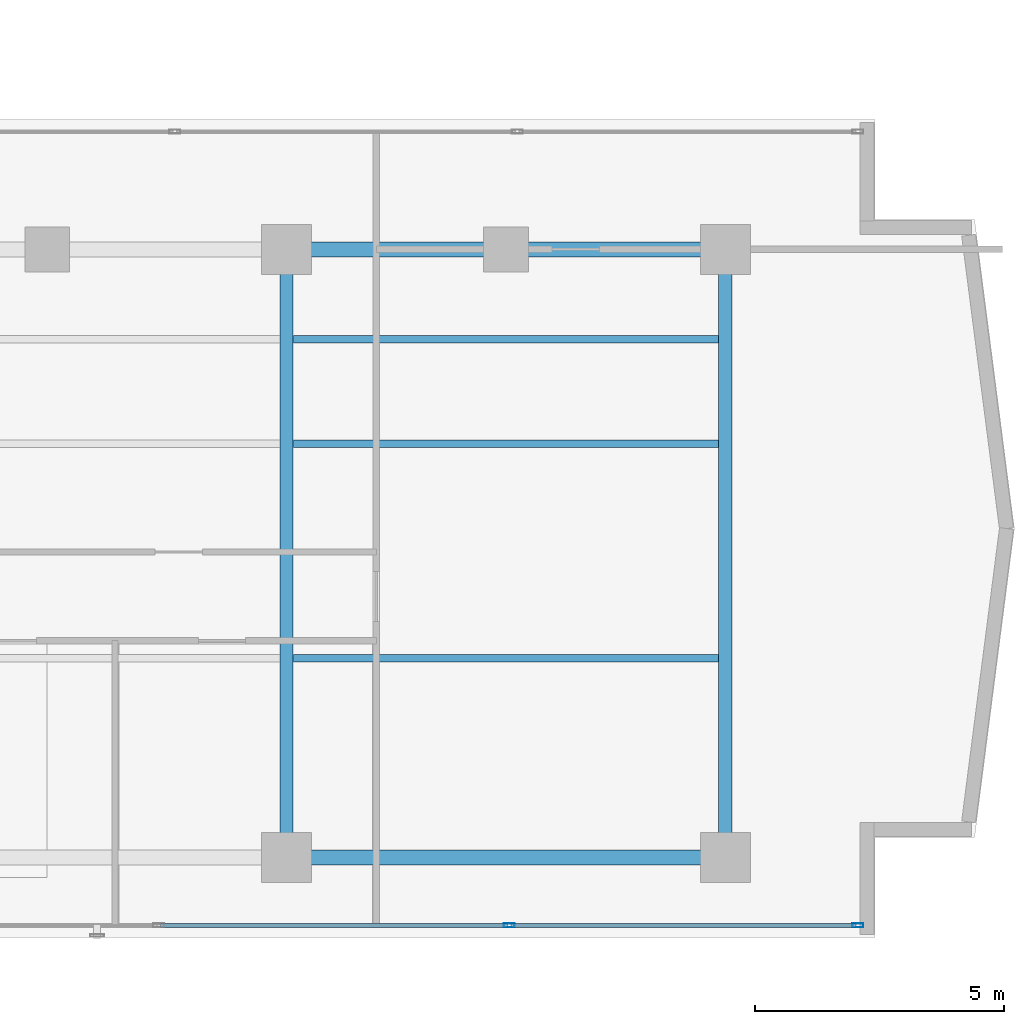
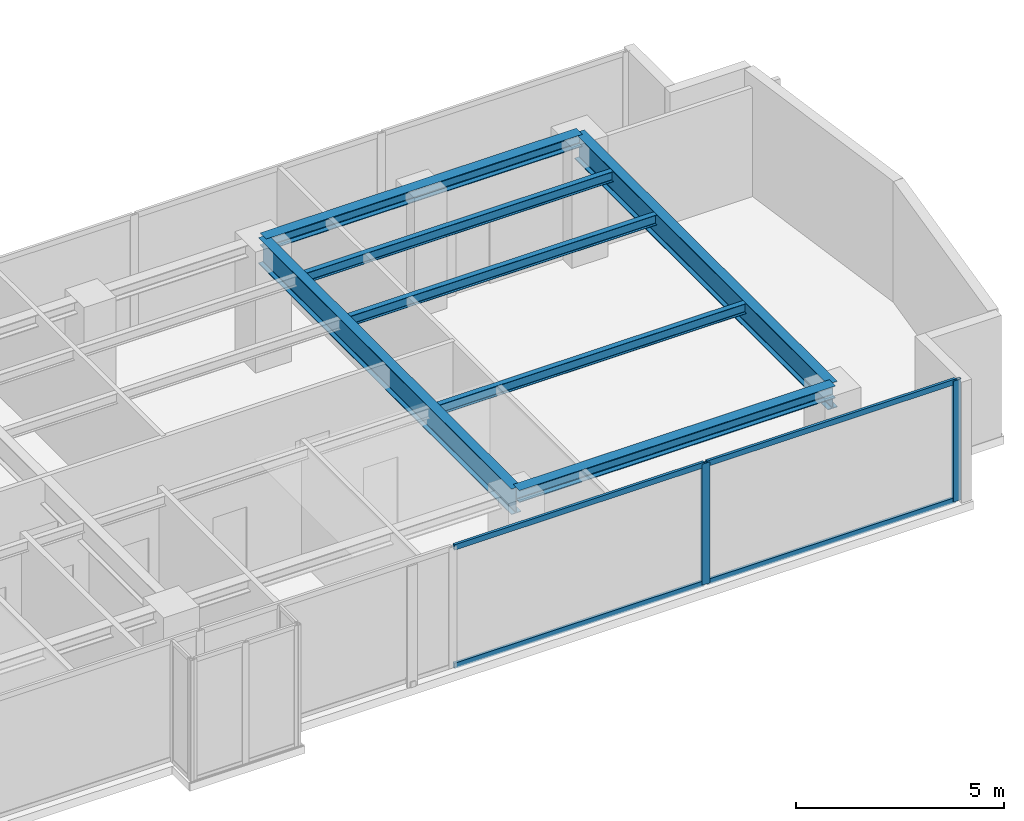
# One storey, part 11 of 22: 7 beams, 6 members, 1 element without a shape of its own.
"""IFC4 building model written with IfcOpenShell, lengths in metres."""

from ifc_helpers import new_model, si_unit, direction, frame, origin, origin_with_axes, origin_2d, place, context, subcontext, project, spatial, hollow_rectangle, i_section, extrude, source, transform, mapped, material, layer, layer_set, material_profile, profile_set, type_object, element, aggregate, save


model = new_model("IFC4")

# Units and contexts
model_context = context("Model", 3, precision=1e-05, world=origin(), true_north=direction((0.0, 1.0)))
body_context = subcontext(model_context, "Body", "Model", "MODEL_VIEW")
ifc_project = project(units=[si_unit("LENGTHUNIT", "METRE"), si_unit("AREAUNIT", "SQUARE_METRE"), si_unit("VOLUMEUNIT", "CUBIC_METRE"), si_unit("PLANEANGLEUNIT", "RADIAN"), si_unit("MASSUNIT", "GRAM", prefix="KILO")], contexts=[model_context])

# Site, building, storey
site_placement = place(None, origin())
site = spatial("IfcSite", under=ifc_project, at=site_placement, CompositionType="ELEMENT")
building_placement = place(site_placement, origin())
building = spatial("IfcBuilding", under=site, at=building_placement, Name="Kolvaren Waterfront Exchange", CompositionType="ELEMENT")
storey_placement = place(building_placement, frame((0.0, 0.0, 246.300048828125)))
storey = spatial("IfcBuildingStorey", under=building, at=storey_placement, Name="L63", CompositionType="ELEMENT", Elevation=246.300048828125)

# Beams
ifc_material_1 = material(Name="Steel S355", Category="steel")
ifc_material_profile_1 = material_profile(ifc_material_1, i_section(OverallWidth=0.300048828125, OverallDepth=0.360107421875, WebThickness=0.012451171875, FlangeThickness=0.0224609375, FilletRadius=0.027099609375, at=origin_2d()), Name="HEB360")
ifc_profile_set_1 = profile_set([ifc_material_profile_1], Name="Steel S355")
beam_type_1 = type_object("IfcBeamType", Name="STR-BM-HEB360", PredefinedType="SPANDREL", material=ifc_profile_set_1)
for number, where, z_axis, x_axis, name in (
    (1, (36.800048828125, 5.199951171875, 3.3798828125), (1.0, 0.0, 0.0), (0.0, 1.0, 0.0), "L63 east-arm spandrel S3"),
    (2, (36.800048828125, 17.39990234375, 3.3798828125), (1.0, 0.0, 0.0), (0.0, 1.0, 0.0), "L63 east-arm spandrel N3"),
):
    element("IfcBeam", number, at=place(storey_placement, frame(where, z_axis=z_axis, x_axis=x_axis)), inside=storey, type_object=beam_type_1, Name=name, PredefinedType="SPANDREL", context=body_context, shape_type="SweptSolid", body=[
        extrude(i_section(OverallWidth=0.300048828125, OverallDepth=0.360107421875, WebThickness=0.012451171875, FlangeThickness=0.0224609375, FilletRadius=0.027099609375, at=origin_2d()), origin(), (0.0, 0.0, 1.0), 8.800048828125),
    ])
ifc_material_profile_2 = material_profile(ifc_material_1, i_section(OverallWidth=0.14990234375, OverallDepth=0.300048828125, WebThickness=0.007080078125, FlangeThickness=0.0107421875, FilletRadius=0.014892578125, at=origin_2d()), Name="IPE300")
ifc_profile_set_2 = profile_set([ifc_material_profile_2], Name="Steel S355")
beam_type_2 = type_object("IfcBeamType", Name="STR-BM-IPE300", PredefinedType="JOIST", material=ifc_profile_set_2)
for number, where, z_axis, x_axis, name in (
    (3, (36.935546875, 13.5, 3.409912109375), (1.0, 0.0, 0.0), (0.0, 1.0, 0.0), "L63 east-arm composite joist 3A"),
    (4, (36.935546875, 15.60009765625, 3.409912109375), (1.0, 0.0, 0.0), (0.0, 1.0, 0.0), "L63 east-arm composite joist 3C"),
    (5, (36.935546875, 9.199951171875, 3.409912109375), (1.0, 0.0, 0.0), (0.0, 1.0, 0.0), "L63 east-arm composite joist 3B"),
):
    element("IfcBeam", number, at=place(storey_placement, frame(where, z_axis=z_axis, x_axis=x_axis)), inside=storey, type_object=beam_type_2, Name=name, PredefinedType="JOIST", context=body_context, shape_type="SweptSolid", body=[
        extrude(i_section(OverallWidth=0.14990234375, OverallDepth=0.300048828125, WebThickness=0.007080078125, FlangeThickness=0.0107421875, FilletRadius=0.014892578125, at=origin_2d()), origin(), (0.0, 0.0, 1.0), 8.529052734375),
    ])
ifc_material_profile_3 = material_profile(ifc_material_1, i_section(OverallWidth=0.26708984375, OverallDepth=0.761962890625, WebThickness=0.014404296875, FlangeThickness=0.021484375, FilletRadius=0.01708984375, at=origin_2d()), Name="IPE750x173")
ifc_profile_set_3 = profile_set([ifc_material_profile_3], Name="Steel S355")
beam_type_3 = type_object("IfcBeamType", Name="STR-BM-IPE750", PredefinedType="BEAM", material=ifc_profile_set_3)
for number, where, z_axis, x_axis, name in (
    (6, (36.800048828125, 5.199951171875, 3.178955078125), (0.0, 1.0, 0.0), (-1.0, 0.0, 0.0), "L63 east-arm transverse girder X36"),
    (7, (45.60009765625, 5.199951171875, 3.178955078125), (0.0, 1.0, 0.0), (-1.0, 0.0, 0.0), "L63 east-arm transverse girder X45"),
):
    element("IfcBeam", number, at=place(storey_placement, frame(where, z_axis=z_axis, x_axis=x_axis)), inside=storey, type_object=beam_type_3, Name=name, PredefinedType="BEAM", context=body_context, shape_type="SweptSolid", body=[
        extrude(i_section(OverallWidth=0.26708984375, OverallDepth=0.761962890625, WebThickness=0.014404296875, FlangeThickness=0.021484375, FilletRadius=0.01708984375, at=origin_2d()), origin(), (0.0, 0.0, 1.0), 12.199951171875),
    ])

# Curtain wall, members
ifc_material_2 = material(Name="Anodised bronze aluminium 6063-T6", Category="aluminium")
ifc_layer = layer(ifc_material_2, 0.219970703125, Name="Anodised bronze aluminium 6063-T6")
ifc_layer_set = layer_set([ifc_layer], Name="Anodised bronze aluminium 6063-T6")
curtain_wall_type = type_object("IfcCurtainWallType", Name="ARC-CW-SYS1", PredefinedType="USERDEFINED", material=ifc_layer_set)
curtain_wall_placement = place(storey_placement, origin())
curtain_wall = element("IfcCurtainWall", 8, at=curtain_wall_placement, inside=storey, type_object=curtain_wall_type, Name="L63 stick curtain wall CW1 (CW-L63-S)", ObjectType="STICK CURTAIN WALL", PredefinedType="USERDEFINED")
ifc_material_3 = material(Name="Anodised aluminium 6063-T6", Category="aluminium")
ifc_material_profile_4 = material_profile(ifc_material_3, hollow_rectangle(XDim=0.080078125, YDim=0.219970703125, WallThickness=0.0048828125, at=origin_2d()), Name="ALU-MUL-220x80x5")
ifc_profile_set_4 = profile_set([ifc_material_profile_4], Name="Anodised aluminium 6063-T6")
member_type_1 = type_object("IfcMemberType", Name="ARC-CWM-220", PredefinedType="MULLION", material=ifc_profile_set_4)
shared_shape_1 = source(origin_with_axes(), body_context, "Body", "SweptSolid", [
    extrude(hollow_rectangle(XDim=0.080078125, YDim=0.219970703125, WallThickness=0.0048828125, at=origin_2d()), origin(), (0.0, 0.0, 1.0), 3.56005859375),
])
member_1_placement = place(storey_placement, frame((41.2666015625, 3.840087890625, 0.0), z_axis=(0.0, 0.0, 1.0), x_axis=(0.0, 1.0, 0.0)))
member_1 = element("IfcMember", 9, at=member_1_placement, type_object=member_type_1, Name="CW1 mullion 6", PredefinedType="MULLION", context=body_context, shape_type="MappedRepresentation", body=[
    mapped(shared_shape_1, transform((0.0, 0.0, 0.0), x_axis=(1.0, 0.0, 0.0), y_axis=(0.0, 1.0, 0.0), z_axis=(0.0, 0.0, 1.0), scale=1.0)),
])
member_2_placement = place(storey_placement, frame((48.260009765625, 3.840087890625, 0.0), z_axis=(0.0, 0.0, 1.0), x_axis=(0.0, 1.0, 0.0)))
member_2 = element("IfcMember", 10, at=member_2_placement, type_object=member_type_1, Name="CW1 mullion 7", PredefinedType="MULLION", context=body_context, shape_type="MappedRepresentation", body=[
    mapped(shared_shape_1, transform((0.0, 0.0, 0.0), x_axis=(1.0, 0.0, 0.0), y_axis=(0.0, 1.0, 0.0), z_axis=(0.0, 0.0, 1.0), scale=1.0)),
])
ifc_material_profile_5 = material_profile(ifc_material_3, hollow_rectangle(XDim=0.074951171875, YDim=0.159912109375, WallThickness=0.00439453125, at=origin_2d()), Name="ALU-TRN-160x75x4.5")
ifc_profile_set_5 = profile_set([ifc_material_profile_5], Name="Anodised aluminium 6063-T6")
member_type_2 = type_object("IfcMemberType", Name="ARC-CWT-160", PredefinedType="USERDEFINED", material=ifc_profile_set_5)
shared_shape_2 = source(origin_with_axes(), body_context, "Body", "SweptSolid", [
    extrude(hollow_rectangle(XDim=0.074951171875, YDim=0.159912109375, WallThickness=0.00439453125, at=origin_2d()), origin(), (0.0, 0.0, 1.0), 6.913330078125),
])
member_3_placement = place(storey_placement, frame((41.306640625, 3.840087890625, 0.037353515625), z_axis=(1.0, 0.0, 0.0), x_axis=(0.0, 1.0, 0.0)))
member_3 = element("IfcMember", 11, at=member_3_placement, type_object=member_type_2, Name="CW1 transom 6.1", ObjectType="TRANSOM", PredefinedType="USERDEFINED", context=body_context, shape_type="MappedRepresentation", body=[
    mapped(shared_shape_2, transform((0.0, 0.0, 0.0), x_axis=(1.0, 0.0, 0.0), y_axis=(0.0, 1.0, 0.0), z_axis=(0.0, 0.0, 1.0), scale=1.0)),
])
member_4_placement = place(storey_placement, frame((41.306640625, 3.840087890625, 3.5224609375), z_axis=(1.0, 0.0, 0.0), x_axis=(0.0, 1.0, 0.0)))
member_4 = element("IfcMember", 12, at=member_4_placement, type_object=member_type_2, Name="CW1 transom 6.2", ObjectType="TRANSOM", PredefinedType="USERDEFINED", context=body_context, shape_type="MappedRepresentation", body=[
    mapped(shared_shape_2, transform((0.0, 0.0, 0.0), x_axis=(1.0, 0.0, 0.0), y_axis=(0.0, 1.0, 0.0), z_axis=(0.0, 0.0, 1.0), scale=1.0)),
])
shared_shape_3 = source(origin_with_axes(), body_context, "Body", "SweptSolid", [
    extrude(hollow_rectangle(XDim=0.074951171875, YDim=0.159912109375, WallThickness=0.00439453125, at=origin_2d()), origin(), (0.0, 0.0, 1.0), 6.953125),
])
member_5_placement = place(storey_placement, frame((34.2734375, 3.840087890625, 0.037353515625), z_axis=(1.0, 0.0, 0.0), x_axis=(0.0, 1.0, 0.0)))
member_5 = element("IfcMember", 13, at=member_5_placement, type_object=member_type_2, Name="CW1 transom 5.1", ObjectType="TRANSOM", PredefinedType="USERDEFINED", context=body_context, shape_type="MappedRepresentation", body=[
    mapped(shared_shape_3, transform((0.0, 0.0, 0.0), x_axis=(1.0, 0.0, 0.0), y_axis=(0.0, 1.0, 0.0), z_axis=(0.0, 0.0, 1.0), scale=1.0)),
])
member_6_placement = place(storey_placement, frame((34.2734375, 3.840087890625, 3.5224609375), z_axis=(1.0, 0.0, 0.0), x_axis=(0.0, 1.0, 0.0)))
member_6 = element("IfcMember", 14, at=member_6_placement, type_object=member_type_2, Name="CW1 transom 5.2", ObjectType="TRANSOM", PredefinedType="USERDEFINED", context=body_context, shape_type="MappedRepresentation", body=[
    mapped(shared_shape_3, transform((0.0, 0.0, 0.0), x_axis=(1.0, 0.0, 0.0), y_axis=(0.0, 1.0, 0.0), z_axis=(0.0, 0.0, 1.0), scale=1.0)),
])
aggregate(curtain_wall, [member_1, member_2, member_5, member_6, member_3, member_4])

save(model, "model.ifc")
